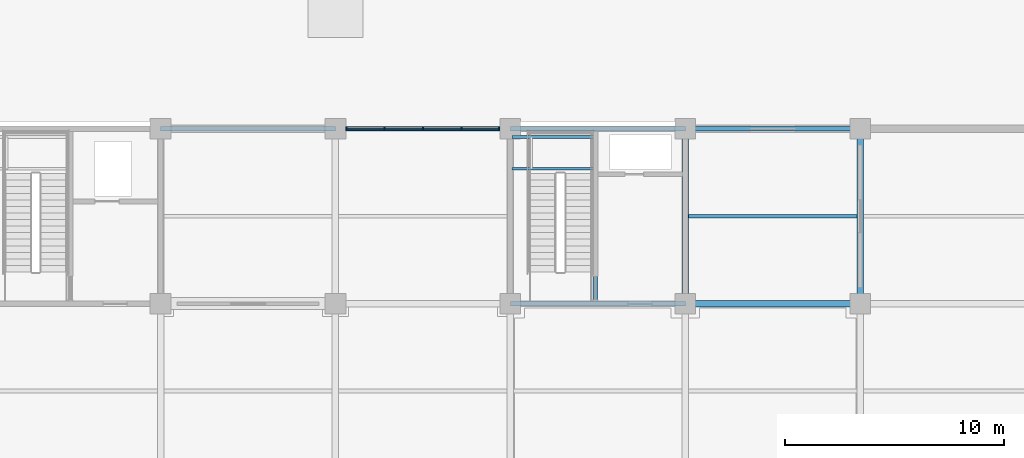
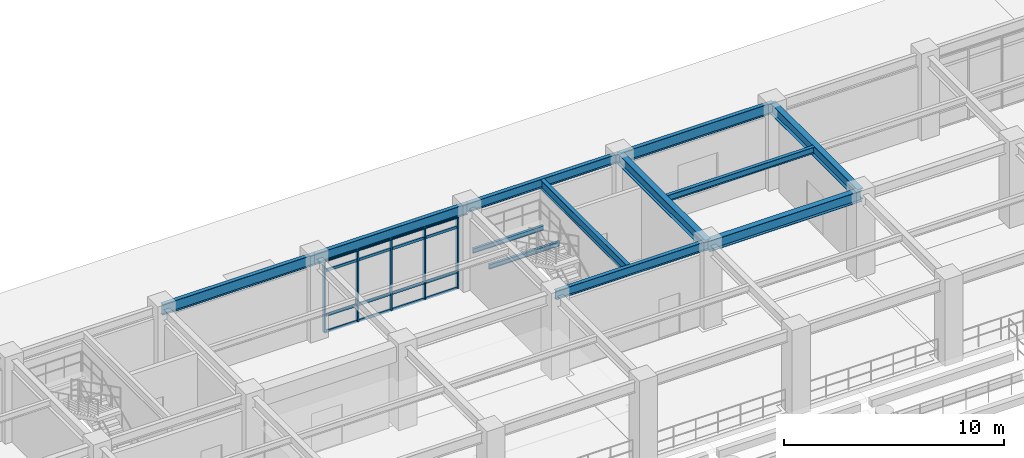
# One storey, part 43 of 109: 21 members, 12 beams, 1 element without a shape of its own.
"""IFC4 building model written with IfcOpenShell, lengths in metres."""

from ifc_helpers import new_model, si_unit, direction, frame, origin, origin_2d, place, context, subcontext, project, spatial, rectangle, i_section, extrude, material, layer, layer_set, material_profile, profile_set, type_object, element, aggregate, save


model = new_model("IFC4")

# Units and contexts
model_context = context("Model", 3, precision=1e-05, world=origin(), true_north=direction((0.0, 1.0)))
body_context = subcontext(model_context, "Body", "Model", "MODEL_VIEW")
ifc_project = project(units=[si_unit("LENGTHUNIT", "METRE"), si_unit("AREAUNIT", "SQUARE_METRE"), si_unit("VOLUMEUNIT", "CUBIC_METRE"), si_unit("PLANEANGLEUNIT", "RADIAN"), si_unit("MASSUNIT", "GRAM", prefix="KILO")], contexts=[model_context])

# Site, building, storey
site_placement = place(None, origin())
site = spatial("IfcSite", under=ifc_project, at=site_placement, CompositionType="ELEMENT")
building_placement = place(site_placement, origin())
building = spatial("IfcBuilding", under=site, at=building_placement, Name="Haebicheon Civic Stadium", CompositionType="ELEMENT")
storey_placement = place(building_placement, frame((0.0, 0.0, 9.60009765625)))
storey = spatial("IfcBuildingStorey", under=building, at=storey_placement, Name="L03", CompositionType="ELEMENT", Elevation=9.60009765625)

# Beams
ifc_material_1 = material(Name="Steel SM355 (S355)", Category="steel")
ifc_material_profile_1 = material_profile(ifc_material_1, i_section(OverallWidth=0.199951171875, OverallDepth=0.5, WebThickness=0.010009765625, FlangeThickness=0.01611328125, at=origin_2d()), Name="H-500x200x10x16")
ifc_profile_set_1 = profile_set([ifc_material_profile_1], Name="Steel SM355 (S355)")
beam_type_1 = type_object("IfcBeamType", Name="BM-ST-H500", PredefinedType="BEAM", material=ifc_profile_set_1)
for number, where, z_axis, x_axis, name in (
    (1, (112.0, 160.0, 4.289794921875), (1.0, 0.0, 0.0), (0.0, 1.0, 0.0), "L03 beam W/15-16"),
    (2, (112.0, 168.0, 4.289794921875), (1.0, 0.0, 0.0), (0.0, 1.0, 0.0), "L03 beam X/15-16"),
):
    element("IfcBeam", number, at=place(storey_placement, frame(where, z_axis=z_axis, x_axis=x_axis)), inside=storey, type_object=beam_type_1, material=ifc_profile_set_1, Name=name, PredefinedType="BEAM", context=body_context, shape_type="SweptSolid", body=[
        extrude(i_section(OverallWidth=0.199951171875, OverallDepth=0.5, WebThickness=0.010009765625, FlangeThickness=0.01611328125, at=origin_2d()), origin(), (0.0, 0.0, 1.0), 8.0),
    ])
beam_1_placement = place(storey_placement, frame((115.8798828125, 160.10009765625, 4.289794921875), z_axis=(0.0, 1.0, 0.0), x_axis=(-1.0, 0.0, 0.0)))
element("IfcBeam", 3, at=beam_1_placement, inside=storey, type_object=beam_type_1, material=ifc_profile_set_1, Name="L03 KC-09 core dividing wall support beam", PredefinedType="BEAM", context=body_context, shape_type="SweptSolid", body=[
    extrude(i_section(OverallWidth=0.199951171875, OverallDepth=0.5, WebThickness=0.010009765625, FlangeThickness=0.01611328125, at=origin_2d()), origin(), (0.0, 0.0, 1.0), 7.7998046875),
])
ifc_material_2 = material(Name="Steel SM355 (S355)", Category="steel")
ifc_material_profile_2 = material_profile(ifc_material_2, i_section(OverallWidth=0.300048828125, OverallDepth=0.60009765625, WebThickness=0.011962890625, FlangeThickness=0.02001953125, at=origin_2d()), Name="H-600x300x12x20")
ifc_profile_set_2 = profile_set([ifc_material_profile_2], Name="Steel SM355 (S355)")
beam_type_2 = type_object("IfcBeamType", Name="BM-ST-H600A", PredefinedType="BEAM", material=ifc_profile_set_2)
for number, where, z_axis, x_axis, name in (
    (4, (120.0, 160.0, 4.239990234375), (0.0, 1.0, 0.0), (-1.0, 0.0, 0.0), "L03 girder 16/W-X"),
    (5, (128.0, 160.0, 4.239990234375), (0.0, 1.0, 0.0), (-1.0, 0.0, 0.0), "L03 girder 17/W-X"),
    (6, (120.0, 160.0, 4.239990234375), (1.0, 0.0, 0.0), (0.0, 1.0, 0.0), "L03 beam W/16-17"),
):
    element("IfcBeam", number, at=place(storey_placement, frame(where, z_axis=z_axis, x_axis=x_axis)), inside=storey, type_object=beam_type_2, material=ifc_profile_set_2, Name=name, PredefinedType="BEAM", context=body_context, shape_type="SweptSolid", body=[
        extrude(i_section(OverallWidth=0.300048828125, OverallDepth=0.60009765625, WebThickness=0.011962890625, FlangeThickness=0.02001953125, at=origin_2d()), origin(), (0.0, 0.0, 1.0), 8.0),
    ])

# Curtain wall, members
ifc_material_3 = material(Name="Anodised aluminium and laminated glass", Category="aluminium")
ifc_layer = layer(ifc_material_3, 0.179931640625, Name="Anodised aluminium and laminated glass")
ifc_layer_set = layer_set([ifc_layer], Name="Anodised aluminium and laminated glass")
curtain_wall_type = type_object("IfcCurtainWallType", Name="CW-7050x3930", PredefinedType="NOTDEFINED", material=ifc_layer_set)
curtain_wall_placement = place(storey_placement, origin())
curtain_wall = element("IfcCurtainWall", 7, at=curtain_wall_placement, inside=storey, type_object=curtain_wall_type, material=ifc_layer_set, Name="L03 unitised curtain wall 081", PredefinedType="NOTDEFINED")
ifc_material_4 = material(Name="Anodised aluminium 6063-T6", Category="aluminium")
ifc_material_profile_3 = material_profile(ifc_material_4, rectangle(XDim=0.070068359375, YDim=0.199951171875, at=origin_2d()), Name="ALU-MULL-70x200")
ifc_profile_set_3 = profile_set([ifc_material_profile_3], Name="Anodised aluminium 6063-T6")
member_type_1 = type_object("IfcMemberType", Name="CWM-200x70", PredefinedType="MULLION", material=ifc_profile_set_3)
member_1_placement = place(storey_placement, frame((104.510009765625, 168.0, 0.0), z_axis=(0.0, 0.0, 1.0), x_axis=(1.0, 0.0, 0.0)))
member_1 = element("IfcMember", 8, at=member_1_placement, type_object=member_type_1, material=ifc_profile_set_3, Name="CW-L03-081 vertical mullion 1", PredefinedType="MULLION", context=body_context, shape_type="SweptSolid", body=[
    extrude(rectangle(XDim=0.070068359375, YDim=0.199951171875, at=origin_2d()), origin(), (0.0, 0.0, 1.0), 3.929931640625),
])
member_2_placement = place(storey_placement, frame((106.237060546875, 168.0, 0.0), z_axis=(0.0, 0.0, 1.0), x_axis=(1.0, 0.0, 0.0)))
member_2 = element("IfcMember", 9, at=member_2_placement, type_object=member_type_1, material=ifc_profile_set_3, Name="CW-L03-081 vertical mullion 2", PredefinedType="MULLION", context=body_context, shape_type="SweptSolid", body=[
    extrude(rectangle(XDim=0.070068359375, YDim=0.199951171875, at=origin_2d()), origin(), (0.0, 0.0, 1.0), 3.929931640625),
])
member_3_placement = place(storey_placement, frame((108.0, 168.0, 0.0), z_axis=(0.0, 0.0, 1.0), x_axis=(1.0, 0.0, 0.0)))
member_3 = element("IfcMember", 10, at=member_3_placement, type_object=member_type_1, material=ifc_profile_set_3, Name="CW-L03-081 vertical mullion 3", PredefinedType="MULLION", context=body_context, shape_type="SweptSolid", body=[
    extrude(rectangle(XDim=0.070068359375, YDim=0.199951171875, at=origin_2d()), origin(), (0.0, 0.0, 1.0), 3.929931640625),
])
member_4_placement = place(storey_placement, frame((109.762939453125, 168.0, 0.0), z_axis=(0.0, 0.0, 1.0), x_axis=(1.0, 0.0, 0.0)))
member_4 = element("IfcMember", 11, at=member_4_placement, type_object=member_type_1, material=ifc_profile_set_3, Name="CW-L03-081 vertical mullion 4", PredefinedType="MULLION", context=body_context, shape_type="SweptSolid", body=[
    extrude(rectangle(XDim=0.070068359375, YDim=0.199951171875, at=origin_2d()), origin(), (0.0, 0.0, 1.0), 3.929931640625),
])
member_5_placement = place(storey_placement, frame((111.489990234375, 168.0, 0.0), z_axis=(0.0, 0.0, 1.0), x_axis=(1.0, 0.0, 0.0)))
member_5 = element("IfcMember", 12, at=member_5_placement, type_object=member_type_1, material=ifc_profile_set_3, Name="CW-L03-081 vertical mullion 5", PredefinedType="MULLION", context=body_context, shape_type="SweptSolid", body=[
    extrude(rectangle(XDim=0.070068359375, YDim=0.199951171875, at=origin_2d()), origin(), (0.0, 0.0, 1.0), 3.929931640625),
])
ifc_material_5 = material(Name="Anodised aluminium 6063-T6", Category="aluminium")
ifc_material_profile_4 = material_profile(ifc_material_5, rectangle(XDim=0.070068359375, YDim=0.14990234375, at=origin_2d()), Name="ALU-TRAN-70x150")
ifc_profile_set_4 = profile_set([ifc_material_profile_4], Name="Anodised aluminium 6063-T6")
member_type_2 = type_object("IfcMemberType", Name="CWT-150x70", PredefinedType="NOTDEFINED", material=ifc_profile_set_4)
member_6_placement = place(storey_placement, frame((104.544921875, 168.0, 0.0), z_axis=(1.0, 0.0, 0.0), x_axis=(0.0, 1.0, 0.0)))
member_6 = element("IfcMember", 13, at=member_6_placement, type_object=member_type_2, material=ifc_profile_set_4, Name="CW-L03-081 horizontal transom 1.1", ObjectType="TRANSOM", PredefinedType="USERDEFINED", context=body_context, shape_type="SweptSolid", body=[
    extrude(rectangle(XDim=0.070068359375, YDim=0.14990234375, at=origin_2d()), origin(), (0.0, 0.0, 1.0), 1.656982421875),
])
member_7_placement = place(storey_placement, frame((104.544921875, 168.0, 0.89990234375), z_axis=(1.0, 0.0, 0.0), x_axis=(0.0, 1.0, 0.0)))
member_7 = element("IfcMember", 14, at=member_7_placement, type_object=member_type_2, material=ifc_profile_set_4, Name="CW-L03-081 horizontal transom 1.2", ObjectType="TRANSOM", PredefinedType="USERDEFINED", context=body_context, shape_type="SweptSolid", body=[
    extrude(rectangle(XDim=0.070068359375, YDim=0.14990234375, at=origin_2d()), origin(), (0.0, 0.0, 1.0), 1.656982421875),
])
member_8_placement = place(storey_placement, frame((104.544921875, 168.0, 3.3798828125), z_axis=(1.0, 0.0, 0.0), x_axis=(0.0, 1.0, 0.0)))
member_8 = element("IfcMember", 15, at=member_8_placement, type_object=member_type_2, material=ifc_profile_set_4, Name="CW-L03-081 horizontal transom 1.3", ObjectType="TRANSOM", PredefinedType="USERDEFINED", context=body_context, shape_type="SweptSolid", body=[
    extrude(rectangle(XDim=0.070068359375, YDim=0.14990234375, at=origin_2d()), origin(), (0.0, 0.0, 1.0), 1.656982421875),
])
member_9_placement = place(storey_placement, frame((104.544921875, 168.0, 3.929931640625), z_axis=(1.0, 0.0, 0.0), x_axis=(0.0, 1.0, 0.0)))
member_9 = element("IfcMember", 16, at=member_9_placement, type_object=member_type_2, material=ifc_profile_set_4, Name="CW-L03-081 horizontal transom 1.4", ObjectType="TRANSOM", PredefinedType="USERDEFINED", context=body_context, shape_type="SweptSolid", body=[
    extrude(rectangle(XDim=0.070068359375, YDim=0.14990234375, at=origin_2d()), origin(), (0.0, 0.0, 1.0), 1.656982421875),
])
member_10_placement = place(storey_placement, frame((106.27197265625, 168.0, 0.0), z_axis=(1.0, 0.0, 0.0), x_axis=(0.0, 1.0, 0.0)))
member_10 = element("IfcMember", 17, at=member_10_placement, type_object=member_type_2, material=ifc_profile_set_4, Name="CW-L03-081 horizontal transom 2.1", ObjectType="TRANSOM", PredefinedType="USERDEFINED", context=body_context, shape_type="SweptSolid", body=[
    extrude(rectangle(XDim=0.070068359375, YDim=0.14990234375, at=origin_2d()), origin(), (0.0, 0.0, 1.0), 1.693115234375),
])
member_11_placement = place(storey_placement, frame((106.27197265625, 168.0, 0.89990234375), z_axis=(1.0, 0.0, 0.0), x_axis=(0.0, 1.0, 0.0)))
member_11 = element("IfcMember", 18, at=member_11_placement, type_object=member_type_2, material=ifc_profile_set_4, Name="CW-L03-081 horizontal transom 2.2", ObjectType="TRANSOM", PredefinedType="USERDEFINED", context=body_context, shape_type="SweptSolid", body=[
    extrude(rectangle(XDim=0.070068359375, YDim=0.14990234375, at=origin_2d()), origin(), (0.0, 0.0, 1.0), 1.693115234375),
])
member_12_placement = place(storey_placement, frame((106.27197265625, 168.0, 3.3798828125), z_axis=(1.0, 0.0, 0.0), x_axis=(0.0, 1.0, 0.0)))
member_12 = element("IfcMember", 19, at=member_12_placement, type_object=member_type_2, material=ifc_profile_set_4, Name="CW-L03-081 horizontal transom 2.3", ObjectType="TRANSOM", PredefinedType="USERDEFINED", context=body_context, shape_type="SweptSolid", body=[
    extrude(rectangle(XDim=0.070068359375, YDim=0.14990234375, at=origin_2d()), origin(), (0.0, 0.0, 1.0), 1.693115234375),
])
member_13_placement = place(storey_placement, frame((106.27197265625, 168.0, 3.929931640625), z_axis=(1.0, 0.0, 0.0), x_axis=(0.0, 1.0, 0.0)))
member_13 = element("IfcMember", 20, at=member_13_placement, type_object=member_type_2, material=ifc_profile_set_4, Name="CW-L03-081 horizontal transom 2.4", ObjectType="TRANSOM", PredefinedType="USERDEFINED", context=body_context, shape_type="SweptSolid", body=[
    extrude(rectangle(XDim=0.070068359375, YDim=0.14990234375, at=origin_2d()), origin(), (0.0, 0.0, 1.0), 1.693115234375),
])
member_14_placement = place(storey_placement, frame((108.034912109375, 168.0, 0.0), z_axis=(1.0, 0.0, 0.0), x_axis=(0.0, 1.0, 0.0)))
member_14 = element("IfcMember", 21, at=member_14_placement, type_object=member_type_2, material=ifc_profile_set_4, Name="CW-L03-081 horizontal transom 3.1", ObjectType="TRANSOM", PredefinedType="USERDEFINED", context=body_context, shape_type="SweptSolid", body=[
    extrude(rectangle(XDim=0.070068359375, YDim=0.14990234375, at=origin_2d()), origin(), (0.0, 0.0, 1.0), 1.693115234375),
])
member_15_placement = place(storey_placement, frame((108.034912109375, 168.0, 0.89990234375), z_axis=(1.0, 0.0, 0.0), x_axis=(0.0, 1.0, 0.0)))
member_15 = element("IfcMember", 22, at=member_15_placement, type_object=member_type_2, material=ifc_profile_set_4, Name="CW-L03-081 horizontal transom 3.2", ObjectType="TRANSOM", PredefinedType="USERDEFINED", context=body_context, shape_type="SweptSolid", body=[
    extrude(rectangle(XDim=0.070068359375, YDim=0.14990234375, at=origin_2d()), origin(), (0.0, 0.0, 1.0), 1.693115234375),
])
member_16_placement = place(storey_placement, frame((108.034912109375, 168.0, 3.3798828125), z_axis=(1.0, 0.0, 0.0), x_axis=(0.0, 1.0, 0.0)))
member_16 = element("IfcMember", 23, at=member_16_placement, type_object=member_type_2, material=ifc_profile_set_4, Name="CW-L03-081 horizontal transom 3.3", ObjectType="TRANSOM", PredefinedType="USERDEFINED", context=body_context, shape_type="SweptSolid", body=[
    extrude(rectangle(XDim=0.070068359375, YDim=0.14990234375, at=origin_2d()), origin(), (0.0, 0.0, 1.0), 1.693115234375),
])
member_17_placement = place(storey_placement, frame((108.034912109375, 168.0, 3.929931640625), z_axis=(1.0, 0.0, 0.0), x_axis=(0.0, 1.0, 0.0)))
member_17 = element("IfcMember", 24, at=member_17_placement, type_object=member_type_2, material=ifc_profile_set_4, Name="CW-L03-081 horizontal transom 3.4", ObjectType="TRANSOM", PredefinedType="USERDEFINED", context=body_context, shape_type="SweptSolid", body=[
    extrude(rectangle(XDim=0.070068359375, YDim=0.14990234375, at=origin_2d()), origin(), (0.0, 0.0, 1.0), 1.693115234375),
])
member_18_placement = place(storey_placement, frame((109.798095703125, 168.0, 0.0), z_axis=(1.0, 0.0, 0.0), x_axis=(0.0, 1.0, 0.0)))
member_18 = element("IfcMember", 25, at=member_18_placement, type_object=member_type_2, material=ifc_profile_set_4, Name="CW-L03-081 horizontal transom 4.1", ObjectType="TRANSOM", PredefinedType="USERDEFINED", context=body_context, shape_type="SweptSolid", body=[
    extrude(rectangle(XDim=0.070068359375, YDim=0.14990234375, at=origin_2d()), origin(), (0.0, 0.0, 1.0), 1.656982421875),
])
member_19_placement = place(storey_placement, frame((109.798095703125, 168.0, 0.89990234375), z_axis=(1.0, 0.0, 0.0), x_axis=(0.0, 1.0, 0.0)))
member_19 = element("IfcMember", 26, at=member_19_placement, type_object=member_type_2, material=ifc_profile_set_4, Name="CW-L03-081 horizontal transom 4.2", ObjectType="TRANSOM", PredefinedType="USERDEFINED", context=body_context, shape_type="SweptSolid", body=[
    extrude(rectangle(XDim=0.070068359375, YDim=0.14990234375, at=origin_2d()), origin(), (0.0, 0.0, 1.0), 1.656982421875),
])
member_20_placement = place(storey_placement, frame((109.798095703125, 168.0, 3.3798828125), z_axis=(1.0, 0.0, 0.0), x_axis=(0.0, 1.0, 0.0)))
member_20 = element("IfcMember", 27, at=member_20_placement, type_object=member_type_2, material=ifc_profile_set_4, Name="CW-L03-081 horizontal transom 4.3", ObjectType="TRANSOM", PredefinedType="USERDEFINED", context=body_context, shape_type="SweptSolid", body=[
    extrude(rectangle(XDim=0.070068359375, YDim=0.14990234375, at=origin_2d()), origin(), (0.0, 0.0, 1.0), 1.656982421875),
])
member_21_placement = place(storey_placement, frame((109.798095703125, 168.0, 3.929931640625), z_axis=(1.0, 0.0, 0.0), x_axis=(0.0, 1.0, 0.0)))
member_21 = element("IfcMember", 28, at=member_21_placement, type_object=member_type_2, material=ifc_profile_set_4, Name="CW-L03-081 horizontal transom 4.4", ObjectType="TRANSOM", PredefinedType="USERDEFINED", context=body_context, shape_type="SweptSolid", body=[
    extrude(rectangle(XDim=0.070068359375, YDim=0.14990234375, at=origin_2d()), origin(), (0.0, 0.0, 1.0), 1.656982421875),
])
aggregate(curtain_wall, [member_1, member_2, member_3, member_4, member_5, member_6, member_7, member_8, member_9, member_10, member_11, member_12, member_13, member_14, member_15, member_16, member_17, member_18, member_19, member_20, member_21])

# Beams
ifc_material_6 = material(Name="Steel SM355 (S355)", Category="steel")
ifc_material_profile_5 = material_profile(ifc_material_6, i_section(OverallWidth=0.125, OverallDepth=0.25, WebThickness=0.006103515625, FlangeThickness=0.009033203125, at=origin_2d()), Name="H-250x125x6x9")
ifc_profile_set_5 = profile_set([ifc_material_profile_5], Name="Steel SM355 (S355)")
beam_type_3 = type_object("IfcBeamType", Name="JST-ST-H250", PredefinedType="JOIST", material=ifc_profile_set_5)
for number, where, z_axis, x_axis, name in (
    (29, (112.080078125, 166.169921875, 2.072021484375), (1.0, 0.0, 0.0), (0.0, 1.0, 0.0), "KC-09 L03 stair half-landing front trimmer beam"),
    (30, (112.080078125, 167.6201171875, 2.072021484375), (1.0, 0.0, 0.0), (0.0, 1.0, 0.0), "KC-09 L03 stair half-landing rear trimmer beam"),
):
    element("IfcBeam", number, at=place(storey_placement, frame(where, z_axis=z_axis, x_axis=x_axis)), inside=storey, type_object=beam_type_3, material=ifc_profile_set_5, Name=name, PredefinedType="JOIST", context=body_context, shape_type="SweptSolid", body=[
        extrude(i_section(OverallWidth=0.125, OverallDepth=0.25, WebThickness=0.006103515625, FlangeThickness=0.009033203125, at=origin_2d()), origin(), (0.0, 0.0, 1.0), 3.719970703125),
    ])
ifc_material_7 = material(Name="Steel SM355 (S355)", Category="steel")
ifc_material_profile_6 = material_profile(ifc_material_7, i_section(OverallWidth=0.175048828125, OverallDepth=0.35009765625, WebThickness=0.007080078125, FlangeThickness=0.010986328125, at=origin_2d()), Name="H-350x175x7x11")
ifc_profile_set_6 = profile_set([ifc_material_profile_6], Name="Steel SM355 (S355)")
beam_type_4 = type_object("IfcBeamType", Name="JST-ST-H350", PredefinedType="JOIST", material=ifc_profile_set_6)
beam_2_placement = place(storey_placement, frame((120.14990234375, 164.0, 4.364990234375), z_axis=(1.0, 0.0, 0.0), x_axis=(0.0, 1.0, 0.0)))
element("IfcBeam", 31, at=beam_2_placement, inside=storey, type_object=beam_type_4, material=ifc_profile_set_6, Name="L03 secondary joist 15-20", PredefinedType="JOIST", context=body_context, shape_type="SweptSolid", body=[
    extrude(i_section(OverallWidth=0.175048828125, OverallDepth=0.35009765625, WebThickness=0.007080078125, FlangeThickness=0.010986328125, at=origin_2d()), origin(), (0.0, 0.0, 1.0), 7.7001953125),
])
ifc_material_8 = material(Name="Steel SM355 (S355)", Category="steel")
ifc_material_profile_7 = material_profile(ifc_material_8, i_section(OverallWidth=0.199951171875, OverallDepth=0.60009765625, WebThickness=0.010986328125, FlangeThickness=0.01708984375, at=origin_2d()), Name="H-600x200x11x17")
ifc_profile_set_7 = profile_set([ifc_material_profile_7], Name="Steel SM355 (S355)")
beam_type_5 = type_object("IfcBeamType", Name="SPD-ST-H600B", PredefinedType="SPANDREL", material=ifc_profile_set_7)
for number, where, z_axis, x_axis, name in (
    (32, (96.0, 168.0, 4.239990234375), (1.0, 0.0, 0.0), (0.0, 1.0, 0.0), "L03 beam X/13-14"),
    (33, (104.0, 168.0, 4.239990234375), (1.0, 0.0, 0.0), (0.0, 1.0, 0.0), "L03 beam X/14-15"),
    (34, (120.0, 168.0, 4.239990234375), (1.0, 0.0, 0.0), (0.0, 1.0, 0.0), "L03 beam X/16-17"),
):
    element("IfcBeam", number, at=place(storey_placement, frame(where, z_axis=z_axis, x_axis=x_axis)), inside=storey, type_object=beam_type_5, material=ifc_profile_set_7, Name=name, PredefinedType="SPANDREL", context=body_context, shape_type="SweptSolid", body=[
        extrude(i_section(OverallWidth=0.199951171875, OverallDepth=0.60009765625, WebThickness=0.010986328125, FlangeThickness=0.01708984375, at=origin_2d()), origin(), (0.0, 0.0, 1.0), 8.0),
    ])

save(model, "model.ifc")
